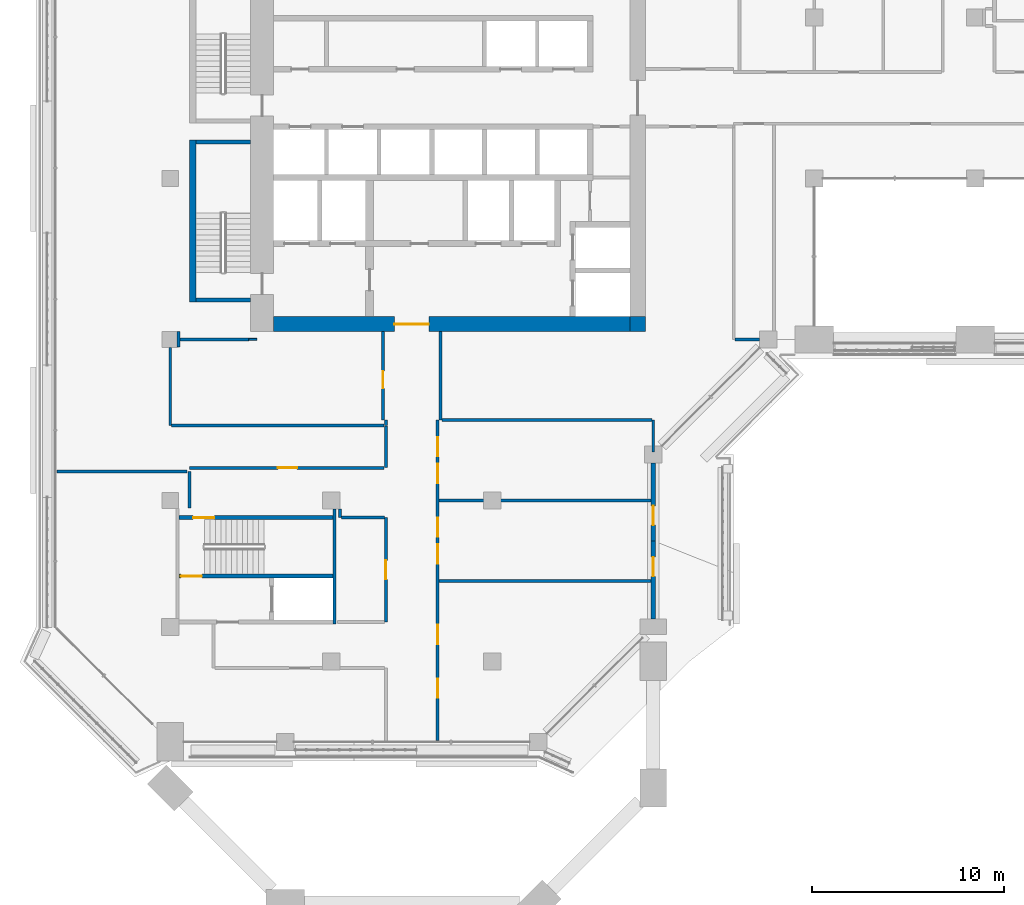
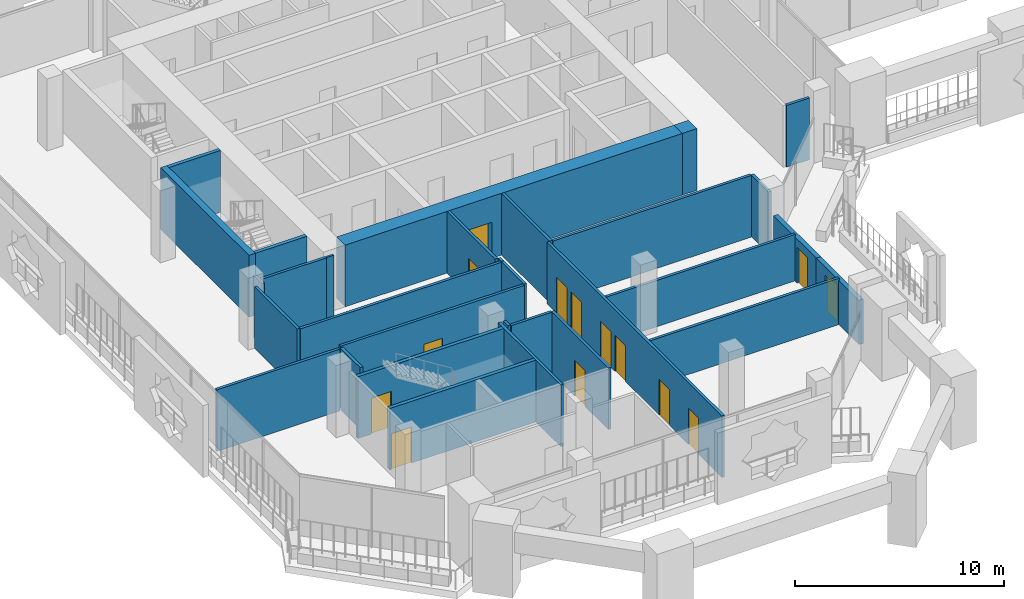
# One storey, part 12 of 23: 31 walls, 14 doors, 14 openings.
"""IFC4 building model written with IfcOpenShell, lengths in metres."""

import ifcopenshell
import ifcopenshell.guid

model = None  # the IFC model being written
_history = None  # IfcOwnerHistory: only IFC2X3 demands one
_inside = {}  # id of a spatial element -> (the spatial element, [elements in it])
_under = {}  # id of a project, library or spatial element -> (it, [spatial elements below it])
_declared = {}  # id of a project -> (the project, [libraries it declares])
_typed = {}  # id of a type object -> (the type object, [elements of that type])
_made_of = {}  # id of a material, layer set ... -> (it, [elements and type objects made of it])


def new_model(schema):
    """Start an empty IFC model of exactly this schema.

    Asked for "IFC4X3", IfcOpenShell would pick the latest addendum, in which some entities
    have other attributes; the version numbers below select the first issue.
    IFC2X3 requires an IfcOwnerHistory on every rooted entity: one is made here for all.
    """
    global model, _history
    if schema == "IFC4X3":
        model = ifcopenshell.file(schema_version=(4, 3, 0, 0))
    else:
        model = ifcopenshell.file(schema=schema)
    _inside.clear()
    _under.clear()
    _declared.clear()
    _typed.clear()
    _made_of.clear()
    _history = None
    if model.schema == "IFC2X3":
        org = make("IfcOrganization", Name="unknown")
        user = make(
            "IfcPersonAndOrganization",
            ThePerson=make("IfcPerson", FamilyName="unknown"),
            TheOrganization=org,
        )
        app = make(
            "IfcApplication",
            ApplicationDeveloper=org,
            Version="unknown",
            ApplicationFullName="unknown",
            ApplicationIdentifier="unknown",
        )
        _history = make(
            "IfcOwnerHistory",
            OwningUser=user,
            OwningApplication=app,
            ChangeAction="ADDED",
            CreationDate=0,
        )
    return model


def make(cls, **values):
    """One entity of the class cls with the attributes given. An attribute that is None is left unset."""
    return model.create_entity(
        cls, **{name: value for name, value in values.items() if value is not None}
    )


def rooted(cls, **values):
    """An entity with a GlobalId (a new one), such as an element, a storey or a relation."""
    return make(cls, GlobalId=ifcopenshell.guid.new(), OwnerHistory=_history, **values)


def si_unit(unit_type, name, prefix=None):
    """IfcSIUnit, for example si_unit("LENGTHUNIT", "METRE", prefix="MILLI")."""
    return make("IfcSIUnit", UnitType=unit_type, Prefix=prefix, Name=name)


def assignment(units):
    """IfcUnitAssignment: the units of a project."""
    return None if units is None else make("IfcUnitAssignment", Units=units)


def point(xyz):
    """IfcCartesianPoint."""
    return None if xyz is None else make("IfcCartesianPoint", Coordinates=xyz)


def direction(xyz):
    """IfcDirection."""
    return None if xyz is None else make("IfcDirection", DirectionRatios=xyz)


def frame(location, z_axis=None, x_axis=None):
    """IfcAxis2Placement3D, a coordinate frame: its origin and axes. An axis left out is left unset."""
    return make(
        "IfcAxis2Placement3D",
        Location=point(location),
        Axis=direction(z_axis),
        RefDirection=direction(x_axis),
    )


def frame_2d(location, x_axis=None):
    """IfcAxis2Placement2D, a coordinate frame in the plane: its origin and x axis."""
    return make(
        "IfcAxis2Placement2D", Location=point(location), RefDirection=direction(x_axis)
    )


def origin():
    """The frame at (0, 0, 0) with its axes left unset."""
    return frame((0.0, 0.0, 0.0))


def place(relative_to, where):
    """IfcLocalPlacement: puts the frame where relative to a parent placement (None: the world)."""
    return make(
        "IfcLocalPlacement", PlacementRelTo=relative_to, RelativePlacement=where
    )


def context(
    kind, dimensions, precision=None, world=None, true_north=None, identifier=None
):
    """IfcGeometricRepresentationContext, for example the 3D "Model" context."""
    return make(
        "IfcGeometricRepresentationContext",
        ContextIdentifier=identifier,
        ContextType=kind,
        CoordinateSpaceDimension=dimensions,
        Precision=precision,
        WorldCoordinateSystem=world,
        TrueNorth=true_north,
    )


def subcontext(parent, identifier, kind, view, scale=None):
    """IfcGeometricRepresentationSubContext, for example "Body" below "Model"."""
    return make(
        "IfcGeometricRepresentationSubContext",
        ContextIdentifier=identifier,
        ContextType=kind,
        ParentContext=parent,
        TargetScale=scale,
        TargetView=view,
    )


def project(units=None, contexts=None):
    """IfcProject with its units and contexts."""
    return rooted(
        "IfcProject",
        Name="project",
        RepresentationContexts=contexts,
        UnitsInContext=assignment(units),
    )


def spatial(cls, under=None, at=None, **own):
    """A site, building, storey or space (cls), placed at a placement, below another one or the project."""
    s = rooted(cls, ObjectPlacement=at, **own)
    if under is not None:
        _under.setdefault(under.id(), (under, []))[1].append(s)
    return s


def profile(cls, at=None, kind="AREA", **sizes):
    """A parametric profile (cls). Its sizes go by their IFC names, for example OverallWidth=200.0."""
    return make(cls, ProfileType=kind, Position=at, **sizes)


def rectangle(**sizes):
    """IfcRectangleProfileDef."""
    return profile("IfcRectangleProfileDef", **sizes)


def extrude(swept, where, along, depth):
    """IfcExtrudedAreaSolid: the profile swept, set in the frame where, extruded along a direction by depth."""
    return make(
        "IfcExtrudedAreaSolid",
        SweptArea=swept,
        Position=where,
        ExtrudedDirection=direction(along),
        Depth=depth,
    )


def shape(context_of_items, identifier, shape_type, items):
    """IfcShapeRepresentation: the items that make up one representation, for example the "Body"."""
    return make(
        "IfcShapeRepresentation",
        ContextOfItems=context_of_items,
        RepresentationIdentifier=identifier,
        RepresentationType=shape_type,
        Items=items,
    )


def material(Name=None, Category=None):
    """IfcMaterial."""
    return make("IfcMaterial", Name=Name, Category=Category)


def layer(
    of_material, thickness, ventilated=None, Name=None, Category=None, Priority=None
):
    """IfcMaterialLayer: one layer of a wall or slab, of a material (None: an air gap)."""
    return make(
        "IfcMaterialLayer",
        Material=of_material,
        LayerThickness=thickness,
        IsVentilated=ventilated,
        Name=Name,
        Category=Category,
        Priority=Priority,
    )


def layer_set(layers, Name=None):
    """IfcMaterialLayerSet."""
    return make("IfcMaterialLayerSet", MaterialLayers=layers, LayerSetName=Name)


def made_of(thing, what):
    """Note that an element or type object is made of a material, layer set ...; save() writes the relation."""
    if what is not None:
        _made_of.setdefault(what.id(), (what, []))[1].append(thing)
    return thing


def type_object(cls, material=None, **own):
    """A type object (cls), such as IfcWallType, which elements share."""
    return made_of(rooted(cls, **own), material)


def element(
    cls,
    number,
    at=None,
    inside=None,
    cuts=None,
    type_object=None,
    material=None,
    context=None,
    identifier="Body",
    shape_type=None,
    held_by="IfcProductDefinitionShape",
    body=None,
    shapes=None,
    **own,
):
    """One element of the class cls, such as IfcWall. Its Tag is "e" and its number.

    at: its placement. inside: the storey or other place that contains it. cuts: it is an
    opening in that element (IfcRelVoidsElement). A single representation is given by context,
    identifier, shape_type and body (its items); several are given by shapes. held_by: the class
    of the entity that holds the representations. save() writes the other relations.
    """
    e = rooted(cls, Tag="e%d" % number, ObjectPlacement=at, **own)
    if body is not None:
        shapes = [shape(context, identifier, shape_type, body)]
    if shapes is not None:
        e.Representation = make(held_by, Representations=shapes)
    if inside is not None:
        _inside.setdefault(inside.id(), (inside, []))[1].append(e)
    if cuts is not None:
        rooted(
            "IfcRelVoidsElement", RelatingBuildingElement=cuts, RelatedOpeningElement=e
        )
    if type_object is not None:
        _typed.setdefault(type_object.id(), (type_object, []))[1].append(e)
    return made_of(e, material)


def fill(opening, filler):
    """IfcRelFillsElement: the door or window that sits in an opening."""
    return rooted(
        "IfcRelFillsElement",
        RelatingOpeningElement=opening,
        RelatedBuildingElement=filler,
    )


def aggregate(whole, parts):
    """IfcRelAggregates: a whole, such as a stair, and the parts it consists of."""
    return rooted("IfcRelAggregates", RelatingObject=whole, RelatedObjects=parts)


def save(model, path):
    """Write the relations noted so far, then the file.

    IfcRelAggregates (storeys below a building ...), IfcRelContainedInSpatialStructure (elements
    in a storey), IfcRelDefinesByType, IfcRelAssociatesMaterial and IfcRelDeclares: one each for
    every whole, place, type object, material and project.
    """
    for whole, parts in _under.values():
        aggregate(whole, parts)
    for where, things in _inside.values():
        rooted(
            "IfcRelContainedInSpatialStructure",
            RelatedElements=things,
            RelatingStructure=where,
        )
    for kind, things in _typed.values():
        rooted("IfcRelDefinesByType", RelatedObjects=things, RelatingType=kind)
    for what, things in _made_of.values():
        rooted("IfcRelAssociatesMaterial", RelatedObjects=things, RelatingMaterial=what)
    for by, libraries in _declared.values():
        rooted("IfcRelDeclares", RelatingContext=by, RelatedDefinitions=libraries)
    model.write(path)


model = new_model("IFC4")

# Units and contexts
model_context = context("Model", 3, precision=1e-05, world=origin(), true_north=direction((0.0, 1.0)))
body_context = subcontext(model_context, "Body", "Model", "MODEL_VIEW")
ifc_project = project(units=[si_unit("LENGTHUNIT", "METRE"), si_unit("AREAUNIT", "SQUARE_METRE"), si_unit("VOLUMEUNIT", "CUBIC_METRE"), si_unit("PLANEANGLEUNIT", "RADIAN"), si_unit("MASSUNIT", "GRAM", prefix="KILO")], contexts=[model_context])

# Site, building, storey
site_placement = place(None, origin())
site = spatial("IfcSite", under=ifc_project, at=site_placement, CompositionType="ELEMENT")
building_placement = place(site_placement, origin())
building = spatial("IfcBuilding", under=site, at=building_placement, Name="Kawkab Arch Medical Tower", CompositionType="ELEMENT")
storey_placement = place(building_placement, frame((0.0, 0.0, 226.39990234375)))
storey = spatial("IfcBuildingStorey", under=building, at=storey_placement, Name="L52", CompositionType="ELEMENT", Elevation=226.39990234375)

# Wall, opening, door
ifc_material_1 = material(Name="Concrete C50/60", Category="concrete")
ifc_layer_1 = layer(ifc_material_1, 0.800048828125)
ifc_layer_set_1 = layer_set([ifc_layer_1], Name="Concrete C50/60")
wall_type_1 = type_object("IfcWallType", Name="Core ring wall 800 C50/60", PredefinedType="SHEAR", material=ifc_layer_set_1)
wall_1_placement = place(storey_placement, frame((5.39990234375, -24.39990234375, 0.0), z_axis=(0.0, 0.0, 1.0), x_axis=(1.0, 0.0, 0.0)))
wall_1 = element("IfcWall", 1, at=wall_1_placement, inside=storey, type_object=wall_type_1, Name="L52 core wall", PredefinedType="SHEAR", context=body_context, shape_type="SweptSolid", body=[
    extrude(rectangle(XDim=18.60009765625, YDim=0.800048828125, at=frame_2d((9.300048828125, 0.0))), origin(), (0.0, 0.0, 1.0), 3.60009765625),
])
opening_1_placement = place(wall_1_placement, frame((6.300048828125, 0.0, 0.0)))
opening_1 = element("IfcOpeningElement", 2, at=opening_1_placement, cuts=wall_1, Name="Opening PD", PredefinedType="OPENING", context=body_context, shape_type="SweptSolid", body=[
    extrude(rectangle(XDim=1.800048828125, YDim=2.10009765625, at=frame_2d((0.89990234375, 1.050048828125))), frame((0.0, 0.409912109375, 0.0), z_axis=(0.0, -1.0, 0.0), x_axis=(1.0, 0.0, 0.0)), (0.0, 0.0, 1.0), 0.820068359375),
])
ifc_material_2 = material(Name="Hollow metal fire door leaf")
door_type_1 = type_object("IfcDoorType", Name="Core entrance doors 1800", OperationType="DOUBLE_DOOR_SINGLE_SWING", PredefinedType="DOOR", material=ifc_material_2)
door_1_placement = place(opening_1_placement, origin())
door_1 = element("IfcDoor", 3, at=door_1_placement, inside=storey, type_object=door_type_1, Name="L52 South entrance doors", OperationType="DOUBLE_DOOR_SINGLE_SWING", OverallHeight=2.10009765625, OverallWidth=1.800048828125, PredefinedType="DOOR", context=body_context, shape_type="SweptSolid", body=[
    extrude(rectangle(XDim=1.800048828125, YDim=2.10009765625, at=frame_2d((0.89990234375, 1.050048828125))), frame((0.0, 0.02490234375, 0.0), z_axis=(0.0, -1.0, 0.0), x_axis=(1.0, 0.0, 0.0)), (0.0, 0.0, 1.0), 0.050048828125),
])
fill(opening_1, door_1)

# Wall
wall_2_placement = place(storey_placement, frame((24.39990234375, -24.800048828125, 0.0), z_axis=(0.0, 0.0, 1.0), x_axis=(0.0, 1.0, 0.0)))
element("IfcWall", 4, at=wall_2_placement, inside=storey, type_object=wall_type_1, Name="L52 core wall", PredefinedType="SHEAR", context=body_context, shape_type="SweptSolid", body=[
    extrude(rectangle(XDim=0.800048828125, YDim=0.800048828125, at=frame_2d((0.39990234375, 0.0))), origin(), (0.0, 0.0, 1.0), 3.60009765625),
])

# Wall, opening, door
ifc_material_3 = material(Name="Bronze clad insulated wall panel")
ifc_layer_2 = layer(ifc_material_3, 0.25)
ifc_layer_set_2 = layer_set([ifc_layer_2], Name="Bronze clad insulated wall panel")
wall_type_2 = type_object("IfcWallType", Name="External wall bay 250", PredefinedType="SOLIDWALL", material=ifc_layer_set_2)
wall_3_placement = place(storey_placement, frame((25.199951171875, -39.800048828125, 0.0), z_axis=(0.0, 0.0, 1.0), x_axis=(0.0, 1.0, 0.0)))
wall_3 = element("IfcWall", 5, at=wall_3_placement, inside=storey, type_object=wall_type_2, Name="External wall bay L52.R15.1.1", PredefinedType="SOLIDWALL", context=body_context, shape_type="SweptSolid", body=[
    extrude(rectangle(XDim=4.074951171875, YDim=0.25, at=frame_2d((2.03759765625, 0.0))), origin(), (0.0, 0.0, 1.0), 2.580078125),
])
opening_2_placement = place(wall_3_placement, frame((2.237548828125, 0.0, 0.0)))
opening_2 = element("IfcOpeningElement", 6, at=opening_2_placement, cuts=wall_3, Name="Opening B52-702", PredefinedType="OPENING", context=body_context, shape_type="SweptSolid", body=[
    extrude(rectangle(XDim=1.0, YDim=2.10009765625, at=frame_2d((0.5, 1.050048828125))), frame((0.0, 0.135009765625, 0.0), z_axis=(0.0, -1.0, 0.0), x_axis=(1.0, 0.0, 0.0)), (0.0, 0.0, 1.0), 0.27001953125),
])
ifc_material_4 = material(Name="Bronze anodised aluminium door with tinted glass", Category="aluminium")
door_type_2 = type_object("IfcDoorType", Name="Single external door 1000 x 2100", OperationType="SINGLE_SWING_LEFT", PredefinedType="DOOR", material=ifc_material_4)
door_2_placement = place(opening_2_placement, origin())
door_2 = element("IfcDoor", 7, at=door_2_placement, inside=storey, type_object=door_type_2, Name="External door L52.R15.1.1", OperationType="SINGLE_SWING_LEFT", OverallHeight=2.10009765625, OverallWidth=1.0, PredefinedType="DOOR", context=body_context, shape_type="SweptSolid", body=[
    extrude(rectangle(XDim=1.0, YDim=2.10009765625, at=frame_2d((0.5, 1.050048828125))), frame((0.0, 0.02490234375, 0.0), z_axis=(0.0, -1.0, 0.0), x_axis=(1.0, 0.0, 0.0)), (0.0, 0.0, 1.0), 0.050048828125),
])
fill(opening_2, door_2)

wall_4_placement = place(storey_placement, frame((25.199951171875, -35.72509765625, 0.0), z_axis=(0.0, 0.0, 1.0), x_axis=(0.0, 1.0, 0.0)))
wall_4 = element("IfcWall", 8, at=wall_4_placement, inside=storey, type_object=wall_type_2, Name="External wall bay L52.R15.1.2", PredefinedType="SOLIDWALL", context=body_context, shape_type="SweptSolid", body=[
    extrude(rectangle(XDim=4.0751953125, YDim=0.25, at=frame_2d((2.03759765625, 0.0))), origin(), (0.0, 0.0, 1.0), 2.580078125),
])
opening_3_placement = place(wall_4_placement, frame((0.83740234375, 0.0, 0.0)))
opening_3 = element("IfcOpeningElement", 9, at=opening_3_placement, cuts=wall_4, Name="Opening B52-702", PredefinedType="OPENING", context=body_context, shape_type="SweptSolid", body=[
    extrude(rectangle(XDim=1.0, YDim=2.10009765625, at=frame_2d((0.5, 1.050048828125))), frame((0.0, 0.135009765625, 0.0), z_axis=(0.0, -1.0, 0.0), x_axis=(1.0, 0.0, 0.0)), (0.0, 0.0, 1.0), 0.27001953125),
])
door_3_placement = place(opening_3_placement, origin())
door_3 = element("IfcDoor", 10, at=door_3_placement, inside=storey, type_object=door_type_2, Name="External door L52.R15.1.2", OperationType="SINGLE_SWING_LEFT", OverallHeight=2.10009765625, OverallWidth=1.0, PredefinedType="DOOR", context=body_context, shape_type="SweptSolid", body=[
    extrude(rectangle(XDim=1.0, YDim=2.10009765625, at=frame_2d((0.5, 1.050048828125))), frame((0.0, 0.02490234375, 0.0), z_axis=(0.0, -1.0, 0.0), x_axis=(1.0, 0.0, 0.0)), (0.0, 0.0, 1.0), 0.050048828125),
])
fill(opening_3, door_3)

# Walls
ifc_material_5 = material(Name="Gypsum board partition on steel studs", Category="steel")
ifc_layer_3 = layer(ifc_material_5, 0.10009765625)
ifc_layer_set_3 = layer_set([ifc_layer_3], Name="Gypsum board partition on steel studs")
wall_type_3 = type_object("IfcWallType", Name="Partition 100", PredefinedType="PARTITIONING", material=ifc_layer_set_3)
wall_5_placement = place(storey_placement, frame((4.10009765625, -25.199951171875, 0.0), z_axis=(0.0, 0.0, 1.0), x_axis=(1.0, 0.0, 0.0)))
element("IfcWall", 11, at=wall_5_placement, inside=storey, type_object=wall_type_3, Name="Partition 100 w001", PredefinedType="PARTITIONING", context=body_context, shape_type="SweptSolid", body=[
    extrude(rectangle(XDim=0.4189453125, YDim=0.10009765625, at=frame_2d((0.20947265625, 0.0))), origin(), (0.0, 0.0, 1.0), 3.60009765625),
])
ifc_material_6 = material(Name="Gypsum board partition on steel studs, mineral wool", Category="steel")
ifc_layer_4 = layer(ifc_material_6, 0.14990234375)
ifc_layer_set_4 = layer_set([ifc_layer_4], Name="Gypsum board partition on steel studs, mineral wool")
wall_type_4 = type_object("IfcWallType", Name="Partition 150", PredefinedType="PARTITIONING", material=ifc_layer_set_4)
wall_6_placement = place(storey_placement, frame((14.02490234375, -37.800048828125, 0.0), z_axis=(0.0, 0.0, 1.0), x_axis=(1.0, 0.0, 0.0)))
element("IfcWall", 12, at=wall_6_placement, inside=storey, type_object=wall_type_4, Name="Partition 150 w005", PredefinedType="PARTITIONING", context=body_context, shape_type="SweptSolid", body=[
    extrude(rectangle(XDim=11.09521484375, YDim=0.14990234375, at=frame_2d((5.547607421875, 0.0))), origin(), (0.0, 0.0, 1.0), 2.7001953125),
])
wall_7_placement = place(storey_placement, frame((8.925048828125, -34.5, 0.0), z_axis=(0.0, 0.0, 1.0), x_axis=(1.0, 0.0, 0.0)))
element("IfcWall", 13, at=wall_7_placement, inside=storey, type_object=wall_type_4, Name="Partition 150 w006", PredefinedType="PARTITIONING", context=body_context, shape_type="SweptSolid", body=[
    extrude(rectangle(XDim=2.25, YDim=0.14990234375, at=frame_2d((1.125, 0.0))), origin(), (0.0, 0.0, 1.0), 3.60009765625),
])
wall_8_placement = place(storey_placement, frame((14.02490234375, -33.60009765625, 0.0), z_axis=(0.0, 0.0, 1.0), x_axis=(1.0, 0.0, 0.0)))
element("IfcWall", 14, at=wall_8_placement, inside=storey, type_object=wall_type_4, Name="Partition 150 w007", PredefinedType="PARTITIONING", context=body_context, shape_type="SweptSolid", body=[
    extrude(rectangle(XDim=11.09521484375, YDim=0.14990234375, at=frame_2d((5.547607421875, 0.0))), origin(), (0.0, 0.0, 1.0), 2.7001953125),
])
wall_9_placement = place(storey_placement, frame((-5.919921875, -32.10009765625, 0.0), z_axis=(0.0, 0.0, 1.0), x_axis=(1.0, 0.0, 0.0)))
element("IfcWall", 15, at=wall_9_placement, inside=storey, type_object=wall_type_4, Name="Partition 150 w008", PredefinedType="PARTITIONING", context=body_context, shape_type="SweptSolid", body=[
    extrude(rectangle(XDim=6.784912109375, YDim=0.14990234375, at=frame_2d((3.392578125, 0.0))), origin(), (0.0, 0.0, 1.0), 3.60009765625),
])

# Wall, opening, door
wall_10_placement = place(storey_placement, frame((1.0009765625, -31.906982421875, 0.0), z_axis=(0.0, 0.0, 1.0), x_axis=(1.0, 0.0, 0.0)))
wall_10 = element("IfcWall", 16, at=wall_10_placement, inside=storey, type_object=wall_type_4, Name="Partition 150 w009", PredefinedType="PARTITIONING", context=body_context, shape_type="SweptSolid", body=[
    extrude(rectangle(XDim=10.154052734375, YDim=0.14990234375, at=frame_2d((5.0771484375, 0.0))), origin(), (0.0, 0.0, 1.0), 3.60009765625),
])
opening_4_placement = place(wall_10_placement, frame((4.614990234375, 0.0, 0.0)))
opening_4 = element("IfcOpeningElement", 17, at=opening_4_placement, cuts=wall_10, Name="Opening B52-023", PredefinedType="OPENING", context=body_context, shape_type="SweptSolid", body=[
    extrude(rectangle(XDim=1.0, YDim=2.10009765625, at=frame_2d((0.5, 1.050048828125))), frame((0.0, 0.0849609375, 0.0), z_axis=(0.0, -1.0, 0.0), x_axis=(1.0, 0.0, 0.0)), (0.0, 0.0, 1.0), 0.169921875),
])
ifc_material_7 = material(Name="Hollow metal door leaf")
door_type_3 = type_object("IfcDoorType", Name="Single door 1000x2100 FD30S", OperationType="NOTDEFINED", PredefinedType="DOOR", material=ifc_material_7)
door_4_placement = place(opening_4_placement, origin())
door_4 = element("IfcDoor", 18, at=door_4_placement, inside=storey, type_object=door_type_3, Name="Door B52-023", OperationType="SINGLE_SWING_LEFT", OverallHeight=2.10009765625, OverallWidth=1.0, PredefinedType="DOOR", context=body_context, shape_type="SweptSolid", body=[
    extrude(rectangle(XDim=1.0, YDim=2.10009765625, at=frame_2d((0.5, 1.050048828125))), frame((0.0, 0.02490234375, 0.0), z_axis=(0.0, -1.0, 0.0), x_axis=(1.0, 0.0, 0.0)), (0.0, 0.0, 1.0), 0.050048828125),
])
fill(opening_4, door_4)

# Walls
wall_11_placement = place(storey_placement, frame((0.074951171875, -29.699951171875, 0.0), z_axis=(0.0, 0.0, 1.0), x_axis=(1.0, 0.0, 0.0)))
element("IfcWall", 19, at=wall_11_placement, inside=storey, type_object=wall_type_4, Name="Partition 150 w010", PredefinedType="PARTITIONING", context=body_context, shape_type="SweptSolid", body=[
    extrude(rectangle(XDim=11.080078125, YDim=0.14990234375, at=frame_2d((5.5400390625, 0.0))), origin(), (0.0, 0.0, 1.0), 3.60009765625),
])
wall_12_placement = place(storey_placement, frame((14.175048828125, -29.39990234375, 0.0), z_axis=(0.0, 0.0, 1.0), x_axis=(1.0, 0.0, 0.0)))
element("IfcWall", 20, at=wall_12_placement, inside=storey, type_object=wall_type_4, Name="Partition 150 w011", PredefinedType="PARTITIONING", context=body_context, shape_type="SweptSolid", body=[
    extrude(rectangle(XDim=10.949951171875, YDim=0.14990234375, at=frame_2d((5.47509765625, 0.0))), origin(), (0.0, 0.0, 1.0), 3.60009765625),
])
wall_13_placement = place(storey_placement, frame((0.5, -25.199951171875, 0.0), z_axis=(0.0, 0.0, 1.0), x_axis=(1.0, 0.0, 0.0)))
element("IfcWall", 21, at=wall_13_placement, inside=storey, type_object=wall_type_4, Name="Partition 150 w012", PredefinedType="PARTITIONING", context=body_context, shape_type="SweptSolid", body=[
    extrude(rectangle(XDim=3.60009765625, YDim=0.14990234375, at=frame_2d((1.800048828125, 0.0))), origin(), (0.0, 0.0, 1.0), 3.60009765625),
])
wall_14_placement = place(storey_placement, frame((29.47509765625, -25.199951171875, 0.0), z_axis=(0.0, 0.0, 1.0), x_axis=(1.0, 0.0, 0.0)))
element("IfcWall", 22, at=wall_14_placement, inside=storey, type_object=wall_type_4, Name="Partition 150 w013", PredefinedType="PARTITIONING", context=body_context, shape_type="SweptSolid", body=[
    extrude(rectangle(XDim=1.27490234375, YDim=0.14990234375, at=frame_2d((0.637451171875, 0.0))), origin(), (0.0, 0.0, 1.0), 3.60009765625),
])
wall_15_placement = place(storey_placement, frame((0.0, -29.699951171875, 0.0), z_axis=(0.0, 0.0, 1.0), x_axis=(0.0, 1.0, 0.0)))
element("IfcWall", 23, at=wall_15_placement, inside=storey, type_object=wall_type_4, Name="Partition 150 w024", PredefinedType="PARTITIONING", context=body_context, shape_type="SweptSolid", body=[
    extrude(rectangle(XDim=4.074951171875, YDim=0.14990234375, at=frame_2d((2.03759765625, 0.0))), origin(), (0.0, 0.0, 1.0), 3.60009765625),
])
wall_16_placement = place(storey_placement, frame((0.425048828125, -25.60009765625, 0.0), z_axis=(0.0, 0.0, 1.0), x_axis=(0.0, 1.0, 0.0)))
element("IfcWall", 24, at=wall_16_placement, inside=storey, type_object=wall_type_4, Name="Partition 150 w025", PredefinedType="PARTITIONING", context=body_context, shape_type="SweptSolid", body=[
    extrude(rectangle(XDim=0.800048828125, YDim=0.14990234375, at=frame_2d((0.39990234375, 0.0))), origin(), (0.0, 0.0, 1.0), 3.60009765625),
])
wall_17_placement = place(storey_placement, frame((1.0, -33.9970703125, 0.0), z_axis=(0.0, 0.0, 1.0), x_axis=(0.0, 1.0, 0.0)))
element("IfcWall", 25, at=wall_17_placement, inside=storey, type_object=wall_type_4, Name="Partition 150 w026", PredefinedType="PARTITIONING", context=body_context, shape_type="SweptSolid", body=[
    extrude(rectangle(XDim=1.89697265625, YDim=0.14990234375, at=frame_2d((0.948486328125, 0.0))), origin(), (0.0, 0.0, 1.0), 3.60009765625),
])
wall_18_placement = place(storey_placement, frame((8.85009765625, -34.5, 0.0), z_axis=(0.0, 0.0, 1.0), x_axis=(0.0, 1.0, 0.0)))
element("IfcWall", 26, at=wall_18_placement, inside=storey, type_object=wall_type_4, Name="Partition 150 w028", PredefinedType="PARTITIONING", context=body_context, shape_type="SweptSolid", body=[
    extrude(rectangle(XDim=0.448974609375, YDim=0.14990234375, at=frame_2d((0.224609375, 0.0))), origin(), (0.0, 0.0, 1.0), 3.60009765625),
])

# Wall, opening, door
wall_19_placement = place(storey_placement, frame((11.10009765625, -29.39990234375, 0.0), z_axis=(0.0, 0.0, 1.0), x_axis=(0.0, 1.0, 0.0)))
wall_19 = element("IfcWall", 27, at=wall_19_placement, inside=storey, type_object=wall_type_4, Name="Partition 150 w029", PredefinedType="PARTITIONING", context=body_context, shape_type="SweptSolid", body=[
    extrude(rectangle(XDim=4.599853515625, YDim=0.14990234375, at=frame_2d((2.2998046875, 0.0))), origin(), (0.0, 0.0, 1.0), 3.60009765625),
])
opening_5_placement = place(wall_19_placement, frame((1.64990234375, 0.0, 0.0)))
opening_5 = element("IfcOpeningElement", 28, at=opening_5_placement, cuts=wall_19, Name="Opening B52-001", PredefinedType="OPENING", context=body_context, shape_type="SweptSolid", body=[
    extrude(rectangle(XDim=0.89990234375, YDim=2.10009765625, at=frame_2d((0.449951171875, 1.050048828125))), frame((0.0, 0.0849609375, 0.0), z_axis=(0.0, -1.0, 0.0), x_axis=(1.0, 0.0, 0.0)), (0.0, 0.0, 1.0), 0.169921875),
])
ifc_material_8 = material(Name="Timber door leaf", Category="wood")
door_type_4 = type_object("IfcDoorType", Name="Single door 900x2100", OperationType="NOTDEFINED", PredefinedType="DOOR", material=ifc_material_8)
door_5_placement = place(opening_5_placement, origin())
door_5 = element("IfcDoor", 29, at=door_5_placement, inside=storey, type_object=door_type_4, Name="Door B52-001", OperationType="SINGLE_SWING_LEFT", OverallHeight=2.10009765625, OverallWidth=0.89990234375, PredefinedType="DOOR", context=body_context, shape_type="SweptSolid", body=[
    extrude(rectangle(XDim=0.89990234375, YDim=2.10009765625, at=frame_2d((0.449951171875, 1.050048828125))), frame((0.0, 0.02490234375, 0.0), z_axis=(0.0, -1.0, 0.0), x_axis=(1.0, 0.0, 0.0)), (0.0, 0.0, 1.0), 0.050048828125),
])
fill(opening_5, door_5)

wall_20_placement = place(storey_placement, frame((11.25, -39.949951171875, 0.0), z_axis=(0.0, 0.0, 1.0), x_axis=(0.0, 1.0, 0.0)))
wall_20 = element("IfcWall", 30, at=wall_20_placement, inside=storey, type_object=wall_type_4, Name="Partition 150 w031", PredefinedType="PARTITIONING", context=body_context, shape_type="SweptSolid", body=[
    extrude(rectangle(XDim=5.449951171875, YDim=0.14990234375, at=frame_2d((2.72509765625, 0.0))), origin(), (0.0, 0.0, 1.0), 3.60009765625),
])
opening_6_placement = place(wall_20_placement, frame((2.22509765625, 0.0, 0.0)))
opening_6 = element("IfcOpeningElement", 31, at=opening_6_placement, cuts=wall_20, Name="Opening B52-024", PredefinedType="OPENING", context=body_context, shape_type="SweptSolid", body=[
    extrude(rectangle(XDim=1.0, YDim=2.10009765625, at=frame_2d((0.5, 1.050048828125))), frame((0.0, 0.0849609375, 0.0), z_axis=(0.0, -1.0, 0.0), x_axis=(1.0, 0.0, 0.0)), (0.0, 0.0, 1.0), 0.169921875),
])
door_6_placement = place(opening_6_placement, origin())
door_6 = element("IfcDoor", 32, at=door_6_placement, inside=storey, type_object=door_type_3, Name="Door B52-024", OperationType="SINGLE_SWING_RIGHT", OverallHeight=2.10009765625, OverallWidth=1.0, PredefinedType="DOOR", context=body_context, shape_type="SweptSolid", body=[
    extrude(rectangle(XDim=1.0, YDim=2.10009765625, at=frame_2d((0.5, 1.050048828125))), frame((0.0, 0.02490234375, 0.0), z_axis=(0.0, -1.0, 0.0), x_axis=(1.0, 0.0, 0.0)), (0.0, 0.0, 1.0), 0.050048828125),
])
fill(opening_6, door_6)

# Walls
wall_21_placement = place(storey_placement, frame((11.25, -31.886962890625, 0.0), z_axis=(0.0, 0.0, 1.0), x_axis=(0.0, 1.0, 0.0)))
element("IfcWall", 33, at=wall_21_placement, inside=storey, type_object=wall_type_4, Name="Partition 150 w032", PredefinedType="PARTITIONING", context=body_context, shape_type="SweptSolid", body=[
    extrude(rectangle(XDim=2.1669921875, YDim=0.14990234375, at=frame_2d((1.08349609375, 0.0))), origin(), (0.0, 0.0, 1.0), 3.60009765625),
])
wall_22_placement = place(storey_placement, frame((11.25, -29.699951171875, 0.0), z_axis=(0.0, 0.0, 1.0), x_axis=(0.0, 1.0, 0.0)))
element("IfcWall", 34, at=wall_22_placement, inside=storey, type_object=wall_type_4, Name="Partition 150 w033", PredefinedType="PARTITIONING", context=body_context, shape_type="SweptSolid", body=[
    extrude(rectangle(XDim=0.300048828125, YDim=0.14990234375, at=frame_2d((0.14990234375, 0.0))), origin(), (0.0, 0.0, 1.0), 3.60009765625),
])

# Wall, openings, doors
wall_23_placement = place(storey_placement, frame((13.949951171875, -46.1201171875, 0.0), z_axis=(0.0, 0.0, 1.0), x_axis=(0.0, 1.0, 0.0)))
wall_23 = element("IfcWall", 35, at=wall_23_placement, inside=storey, type_object=wall_type_4, Name="Partition 150 w034", PredefinedType="PARTITIONING", context=body_context, shape_type="SweptSolid", body=[
    extrude(rectangle(XDim=16.72021484375, YDim=0.14990234375, at=frame_2d((8.360107421875, 0.0))), origin(), (0.0, 0.0, 1.0), 3.60009765625),
])
opening_7_placement = place(wall_23_placement, frame((14.820068359375, 0.0, 0.0)))
opening_7 = element("IfcOpeningElement", 36, at=opening_7_placement, cuts=wall_23, Name="Opening B52-016", PredefinedType="OPENING", context=body_context, shape_type="SweptSolid", body=[
    extrude(rectangle(XDim=1.0, YDim=2.10009765625, at=frame_2d((0.5, 1.050048828125))), frame((0.0, 0.0849609375, 0.0), z_axis=(0.0, -1.0, 0.0), x_axis=(1.0, 0.0, 0.0)), (0.0, 0.0, 1.0), 0.169921875),
])
opening_8_placement = place(wall_23_placement, frame((13.419921875, 0.0, 0.0)))
opening_8 = element("IfcOpeningElement", 37, at=opening_8_placement, cuts=wall_23, Name="Opening B52-017", PredefinedType="OPENING", context=body_context, shape_type="SweptSolid", body=[
    extrude(rectangle(XDim=1.0, YDim=2.10009765625, at=frame_2d((0.5, 1.050048828125))), frame((0.0, 0.0849609375, 0.0), z_axis=(0.0, -1.0, 0.0), x_axis=(1.0, 0.0, 0.0)), (0.0, 0.0, 1.0), 0.169921875),
])
opening_9_placement = place(wall_23_placement, frame((10.6201171875, 0.0, 0.0)))
opening_9 = element("IfcOpeningElement", 38, at=opening_9_placement, cuts=wall_23, Name="Opening B52-018", PredefinedType="OPENING", context=body_context, shape_type="SweptSolid", body=[
    extrude(rectangle(XDim=1.0, YDim=2.10009765625, at=frame_2d((0.5, 1.050048828125))), frame((0.0, 0.0849609375, 0.0), z_axis=(0.0, -1.0, 0.0), x_axis=(1.0, 0.0, 0.0)), (0.0, 0.0, 1.0), 0.169921875),
])
opening_10_placement = place(wall_23_placement, frame((9.219970703125, 0.0, 0.0)))
opening_10 = element("IfcOpeningElement", 39, at=opening_10_placement, cuts=wall_23, Name="Opening B52-019", PredefinedType="OPENING", context=body_context, shape_type="SweptSolid", body=[
    extrude(rectangle(XDim=1.0, YDim=2.10009765625, at=frame_2d((0.5, 1.050048828125))), frame((0.0, 0.0849609375, 0.0), z_axis=(0.0, -1.0, 0.0), x_axis=(1.0, 0.0, 0.0)), (0.0, 0.0, 1.0), 0.169921875),
])
opening_11_placement = place(wall_23_placement, frame((5.02001953125, 0.0, 0.0)))
opening_11 = element("IfcOpeningElement", 40, at=opening_11_placement, cuts=wall_23, Name="Opening B52-020", PredefinedType="OPENING", context=body_context, shape_type="SweptSolid", body=[
    extrude(rectangle(XDim=1.0, YDim=2.10009765625, at=frame_2d((0.5, 1.050048828125))), frame((0.0, 0.0849609375, 0.0), z_axis=(0.0, -1.0, 0.0), x_axis=(1.0, 0.0, 0.0)), (0.0, 0.0, 1.0), 0.169921875),
])
opening_12_placement = place(wall_23_placement, frame((2.219970703125, 0.0, 0.0)))
opening_12 = element("IfcOpeningElement", 41, at=opening_12_placement, cuts=wall_23, Name="Opening B52-021", PredefinedType="OPENING", context=body_context, shape_type="SweptSolid", body=[
    extrude(rectangle(XDim=1.0, YDim=2.10009765625, at=frame_2d((0.5, 1.050048828125))), frame((0.0, 0.0849609375, 0.0), z_axis=(0.0, -1.0, 0.0), x_axis=(1.0, 0.0, 0.0)), (0.0, 0.0, 1.0), 0.169921875),
])
door_7_placement = place(opening_7_placement, origin())
door_7 = element("IfcDoor", 42, at=door_7_placement, inside=storey, type_object=door_type_3, Name="Door B52-016", OperationType="SINGLE_SWING_LEFT", OverallHeight=2.10009765625, OverallWidth=1.0, PredefinedType="DOOR", context=body_context, shape_type="SweptSolid", body=[
    extrude(rectangle(XDim=1.0, YDim=2.10009765625, at=frame_2d((0.5, 1.050048828125))), frame((0.0, 0.02490234375, 0.0), z_axis=(0.0, -1.0, 0.0), x_axis=(1.0, 0.0, 0.0)), (0.0, 0.0, 1.0), 0.050048828125),
])
fill(opening_7, door_7)
door_8_placement = place(opening_8_placement, origin())
door_8 = element("IfcDoor", 43, at=door_8_placement, inside=storey, type_object=door_type_3, Name="Door B52-017", OperationType="SINGLE_SWING_LEFT", OverallHeight=2.10009765625, OverallWidth=1.0, PredefinedType="DOOR", context=body_context, shape_type="SweptSolid", body=[
    extrude(rectangle(XDim=1.0, YDim=2.10009765625, at=frame_2d((0.5, 1.050048828125))), frame((0.0, 0.02490234375, 0.0), z_axis=(0.0, -1.0, 0.0), x_axis=(1.0, 0.0, 0.0)), (0.0, 0.0, 1.0), 0.050048828125),
])
fill(opening_8, door_8)
door_9_placement = place(opening_9_placement, origin())
door_9 = element("IfcDoor", 44, at=door_9_placement, inside=storey, type_object=door_type_3, Name="Door B52-018", OperationType="SINGLE_SWING_LEFT", OverallHeight=2.10009765625, OverallWidth=1.0, PredefinedType="DOOR", context=body_context, shape_type="SweptSolid", body=[
    extrude(rectangle(XDim=1.0, YDim=2.10009765625, at=frame_2d((0.5, 1.050048828125))), frame((0.0, 0.02490234375, 0.0), z_axis=(0.0, -1.0, 0.0), x_axis=(1.0, 0.0, 0.0)), (0.0, 0.0, 1.0), 0.050048828125),
])
fill(opening_9, door_9)
door_10_placement = place(opening_10_placement, origin())
door_10 = element("IfcDoor", 45, at=door_10_placement, inside=storey, type_object=door_type_3, Name="Door B52-019", OperationType="SINGLE_SWING_LEFT", OverallHeight=2.10009765625, OverallWidth=1.0, PredefinedType="DOOR", context=body_context, shape_type="SweptSolid", body=[
    extrude(rectangle(XDim=1.0, YDim=2.10009765625, at=frame_2d((0.5, 1.050048828125))), frame((0.0, 0.02490234375, 0.0), z_axis=(0.0, -1.0, 0.0), x_axis=(1.0, 0.0, 0.0)), (0.0, 0.0, 1.0), 0.050048828125),
])
fill(opening_10, door_10)
door_11_placement = place(opening_11_placement, origin())
door_11 = element("IfcDoor", 46, at=door_11_placement, inside=storey, type_object=door_type_3, Name="Door B52-020", OperationType="SINGLE_SWING_RIGHT", OverallHeight=2.10009765625, OverallWidth=1.0, PredefinedType="DOOR", context=body_context, shape_type="SweptSolid", body=[
    extrude(rectangle(XDim=1.0, YDim=2.10009765625, at=frame_2d((0.5, 1.050048828125))), frame((0.0, 0.02490234375, 0.0), z_axis=(0.0, -1.0, 0.0), x_axis=(1.0, 0.0, 0.0)), (0.0, 0.0, 1.0), 0.050048828125),
])
fill(opening_11, door_11)
door_12_placement = place(opening_12_placement, origin())
door_12 = element("IfcDoor", 47, at=door_12_placement, inside=storey, type_object=door_type_3, Name="Door B52-021", OperationType="SINGLE_SWING_RIGHT", OverallHeight=2.10009765625, OverallWidth=1.0, PredefinedType="DOOR", context=body_context, shape_type="SweptSolid", body=[
    extrude(rectangle(XDim=1.0, YDim=2.10009765625, at=frame_2d((0.5, 1.050048828125))), frame((0.0, 0.02490234375, 0.0), z_axis=(0.0, -1.0, 0.0), x_axis=(1.0, 0.0, 0.0)), (0.0, 0.0, 1.0), 0.050048828125),
])
fill(opening_12, door_12)

# Walls
wall_24_placement = place(storey_placement, frame((14.10009765625, -29.39990234375, 0.0), z_axis=(0.0, 0.0, 1.0), x_axis=(0.0, 1.0, 0.0)))
element("IfcWall", 48, at=wall_24_placement, inside=storey, type_object=wall_type_4, Name="Partition 150 w035", PredefinedType="PARTITIONING", context=body_context, shape_type="SweptSolid", body=[
    extrude(rectangle(XDim=4.599853515625, YDim=0.14990234375, at=frame_2d((2.2998046875, 0.0))), origin(), (0.0, 0.0, 1.0), 3.60009765625),
])
wall_25_placement = place(storey_placement, frame((25.199951171875, -31.0869140625, 0.0), z_axis=(0.0, 0.0, 1.0), x_axis=(0.0, 1.0, 0.0)))
element("IfcWall", 49, at=wall_25_placement, inside=storey, type_object=wall_type_4, Name="Partition 150 w036", PredefinedType="PARTITIONING", context=body_context, shape_type="SweptSolid", body=[
    extrude(rectangle(XDim=1.68701171875, YDim=0.14990234375, at=frame_2d((0.843505859375, 0.0))), origin(), (0.0, 0.0, 1.0), 3.60009765625),
])
ifc_material_9 = material(Name="Concrete C50/60", Category="concrete")
ifc_layer_5 = layer(ifc_material_9, 0.14990234375)
ifc_layer_set_5 = layer_set([ifc_layer_5], Name="Concrete C50/60")
wall_type_5 = type_object("IfcWallType", Name="Stair enclosure wall 150 C50/60", PredefinedType="SHEAR", material=ifc_layer_set_5)
wall_26_placement = place(storey_placement, frame((8.574951171875, -40.050048828125, 0.0), z_axis=(0.0, 0.0, 1.0), x_axis=(0.0, 1.0, 0.0)))
element("IfcWall", 50, at=wall_26_placement, inside=storey, type_object=wall_type_5, Name="L52 stair enclosure wall", PredefinedType="SHEAR", context=body_context, shape_type="SweptSolid", body=[
    extrude(rectangle(XDim=6.0, YDim=0.14990234375, at=frame_2d((3.0, 0.0))), origin(), (0.0, 0.0, 1.0), 3.60009765625),
])
ifc_material_10 = material(Name="Concrete C50/60", Category="concrete")
ifc_layer_6 = layer(ifc_material_10, 0.199951171875)
ifc_layer_set_6 = layer_set([ifc_layer_6], Name="Concrete C50/60")
wall_type_6 = type_object("IfcWallType", Name="Stair enclosure wall 200 C50/60", PredefinedType="SHEAR", material=ifc_layer_set_6)
for number, where, z_axis, x_axis, name in (
    (51, (1.35009765625, -14.89990234375, 0.0), (0.0, 0.0, 1.0), (1.0, 0.0, 0.0), "L52 stair enclosure wall"),
    (52, (1.35009765625, -23.14990234375, 0.0), (0.0, 0.0, 1.0), (1.0, 0.0, 0.0), "L52 stair enclosure wall"),
):
    element("IfcWall", number, at=place(storey_placement, frame(where, z_axis=z_axis, x_axis=x_axis)), inside=storey, type_object=wall_type_6, Name=name, PredefinedType="SHEAR", context=body_context, shape_type="SweptSolid", body=[
        extrude(rectangle(XDim=2.849853515625, YDim=0.199951171875, at=frame_2d((1.4248046875, 0.0))), origin(), (0.0, 0.0, 1.0), 3.60009765625),
    ])

# Wall, opening, door
wall_27_placement = place(storey_placement, frame((0.449951171875, -34.5, 0.0), z_axis=(0.0, 0.0, 1.0), x_axis=(1.0, 0.0, 0.0)))
wall_27 = element("IfcWall", 53, at=wall_27_placement, inside=storey, type_object=wall_type_6, Name="L52 stair enclosure wall", PredefinedType="SHEAR", context=body_context, shape_type="SweptSolid", body=[
    extrude(rectangle(XDim=8.050048828125, YDim=0.199951171875, at=frame_2d((4.02490234375, 0.0))), origin(), (0.0, 0.0, 1.0), 3.60009765625),
])
opening_13_placement = place(wall_27_placement, frame((0.75, 0.0, 0.0)))
opening_13 = element("IfcOpeningElement", 54, at=opening_13_placement, cuts=wall_27, Name="Opening SD", PredefinedType="OPENING", context=body_context, shape_type="SweptSolid", body=[
    extrude(rectangle(XDim=1.10009765625, YDim=2.10009765625, at=frame_2d((0.550048828125, 1.050048828125))), frame((0.0, 0.10986328125, 0.0), z_axis=(0.0, -1.0, 0.0), x_axis=(1.0, 0.0, 0.0)), (0.0, 0.0, 1.0), 0.219970703125),
])
ifc_material_11 = material(Name="Hollow metal fire door leaf")
door_type_5 = type_object("IfcDoorType", Name="Exit stair door 1100", OperationType="SINGLE_SWING_LEFT", PredefinedType="DOOR", material=ifc_material_11)
door_13_placement = place(opening_13_placement, origin())
door_13 = element("IfcDoor", 55, at=door_13_placement, inside=storey, type_object=door_type_5, Name="L52 Exit stair ST6 door", OperationType="SINGLE_SWING_LEFT", OverallHeight=2.10009765625, OverallWidth=1.10009765625, PredefinedType="DOOR", context=body_context, shape_type="SweptSolid", body=[
    extrude(rectangle(XDim=1.10009765625, YDim=2.10009765625, at=frame_2d((0.550048828125, 1.050048828125))), frame((0.0, 0.02490234375, 0.0), z_axis=(0.0, -1.0, 0.0), x_axis=(1.0, 0.0, 0.0)), (0.0, 0.0, 1.0), 0.050048828125),
])
fill(opening_13, door_13)

wall_28_placement = place(storey_placement, frame((0.449951171875, -37.550048828125, 0.0), z_axis=(0.0, 0.0, 1.0), x_axis=(1.0, 0.0, 0.0)))
wall_28 = element("IfcWall", 56, at=wall_28_placement, inside=storey, type_object=wall_type_6, Name="L52 stair enclosure wall", PredefinedType="SHEAR", context=body_context, shape_type="SweptSolid", body=[
    extrude(rectangle(XDim=8.050048828125, YDim=0.199951171875, at=frame_2d((4.02490234375, 0.0))), origin(), (0.0, 0.0, 1.0), 3.60009765625),
])
opening_14_placement = place(wall_28_placement, frame((0.10009765625, 0.0, 0.0)))
opening_14 = element("IfcOpeningElement", 57, at=opening_14_placement, cuts=wall_28, Name="Opening SD", PredefinedType="OPENING", context=body_context, shape_type="SweptSolid", body=[
    extrude(rectangle(XDim=1.10009765625, YDim=2.10009765625, at=frame_2d((0.550048828125, 1.050048828125))), frame((0.0, 0.10986328125, 0.0), z_axis=(0.0, -1.0, 0.0), x_axis=(1.0, 0.0, 0.0)), (0.0, 0.0, 1.0), 0.219970703125),
])
door_14_placement = place(opening_14_placement, frame((1.10009765625, 0.0, 0.0), z_axis=(0.0, 0.0, 1.0), x_axis=(-1.0, 0.0, 0.0)))
door_14 = element("IfcDoor", 58, at=door_14_placement, inside=storey, type_object=door_type_5, Name="L52 Exit stair ST6 lobby door", OperationType="SINGLE_SWING_LEFT", OverallHeight=2.10009765625, OverallWidth=1.10009765625, PredefinedType="DOOR", context=body_context, shape_type="SweptSolid", body=[
    extrude(rectangle(XDim=1.10009765625, YDim=2.10009765625, at=frame_2d((0.550048828125, 1.050048828125))), frame((0.0, 0.02490234375, 0.0), z_axis=(0.0, -1.0, 0.0), x_axis=(1.0, 0.0, 0.0)), (0.0, 0.0, 1.0), 0.050048828125),
])
fill(opening_14, door_14)

# Wall
ifc_material_12 = material(Name="Concrete C50/60", Category="concrete")
ifc_layer_7 = layer(ifc_material_12, 0.35009765625)
ifc_layer_set_7 = layer_set([ifc_layer_7], Name="Concrete C50/60")
wall_type_7 = type_object("IfcWallType", Name="Stair enclosure wall 350 C50/60", PredefinedType="SHEAR", material=ifc_layer_set_7)
wall_29_placement = place(storey_placement, frame((1.175048828125, -23.25, 0.0), z_axis=(0.0, 0.0, 1.0), x_axis=(0.0, 1.0, 0.0)))
element("IfcWall", 59, at=wall_29_placement, inside=storey, type_object=wall_type_7, Name="L52 stair enclosure wall", PredefinedType="SHEAR", context=body_context, shape_type="SweptSolid", body=[
    extrude(rectangle(XDim=8.449951171875, YDim=0.35009765625, at=frame_2d((4.22509765625, 0.0))), origin(), (0.0, 0.0, 1.0), 3.60009765625),
])

save(model, "model.ifc")
